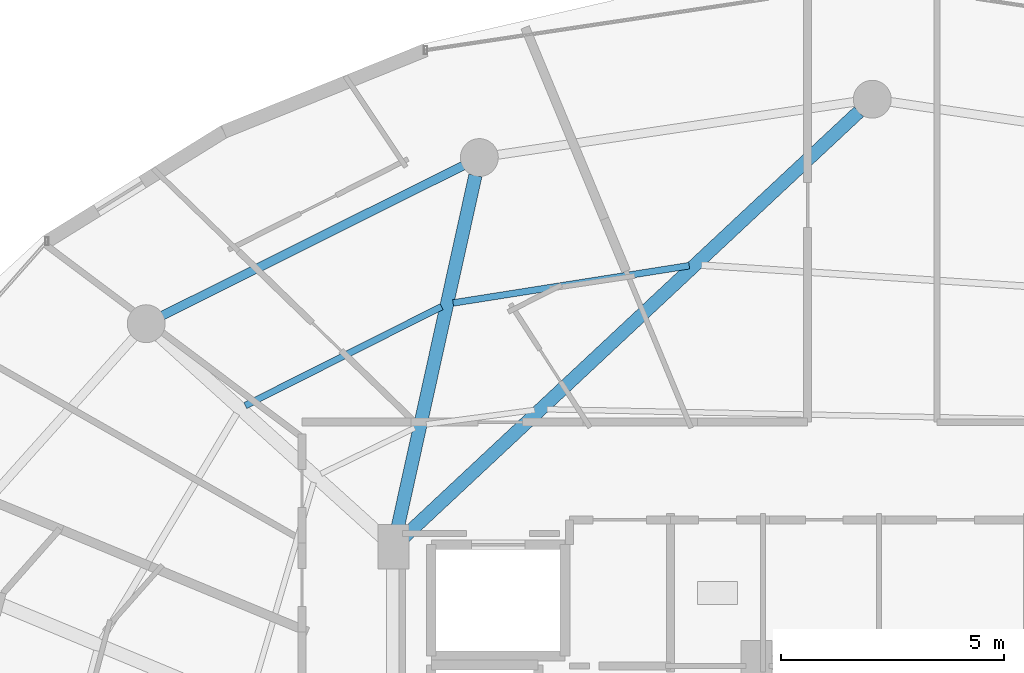
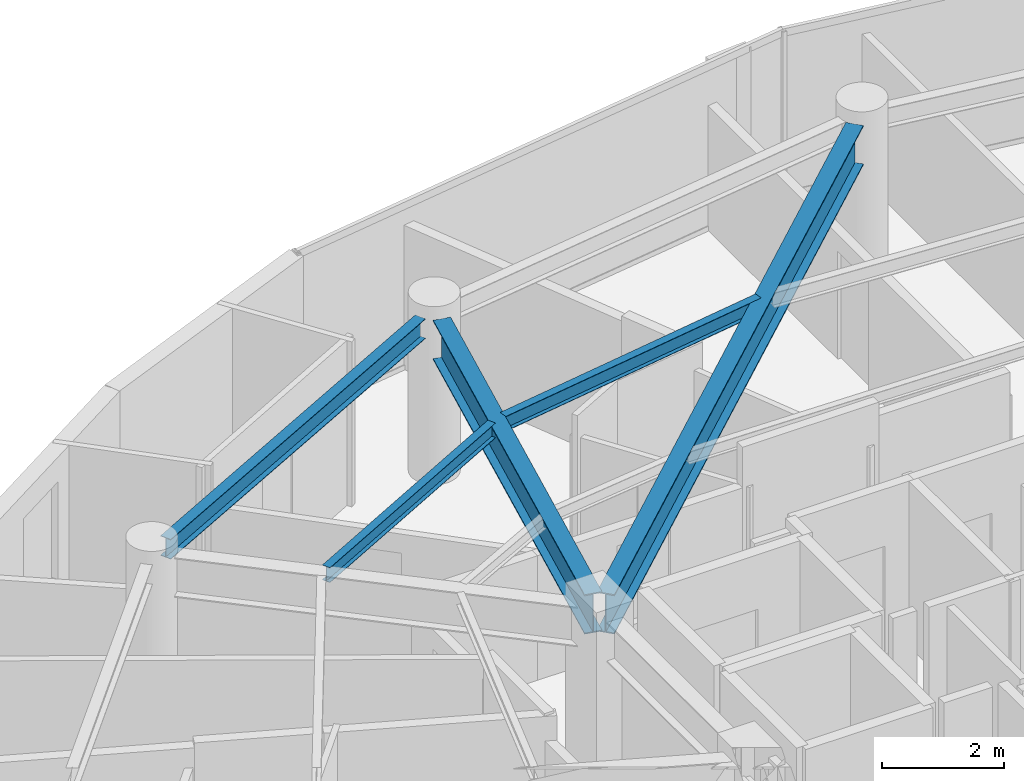
# One storey, part 17 of 31: 5 beams.
"""IFC4 building model written with IfcOpenShell, lengths in metres."""

import ifcopenshell
import ifcopenshell.guid

model = None  # the IFC model being written
_history = None  # IfcOwnerHistory: only IFC2X3 demands one
_inside = {}  # id of a spatial element -> (the spatial element, [elements in it])
_under = {}  # id of a project, library or spatial element -> (it, [spatial elements below it])
_declared = {}  # id of a project -> (the project, [libraries it declares])
_typed = {}  # id of a type object -> (the type object, [elements of that type])
_made_of = {}  # id of a material, layer set ... -> (it, [elements and type objects made of it])


def new_model(schema):
    """Start an empty IFC model of exactly this schema.

    Asked for "IFC4X3", IfcOpenShell would pick the latest addendum, in which some entities
    have other attributes; the version numbers below select the first issue.
    IFC2X3 requires an IfcOwnerHistory on every rooted entity: one is made here for all.
    """
    global model, _history
    if schema == "IFC4X3":
        model = ifcopenshell.file(schema_version=(4, 3, 0, 0))
    else:
        model = ifcopenshell.file(schema=schema)
    _inside.clear()
    _under.clear()
    _declared.clear()
    _typed.clear()
    _made_of.clear()
    _history = None
    if model.schema == "IFC2X3":
        org = make("IfcOrganization", Name="unknown")
        user = make(
            "IfcPersonAndOrganization",
            ThePerson=make("IfcPerson", FamilyName="unknown"),
            TheOrganization=org,
        )
        app = make(
            "IfcApplication",
            ApplicationDeveloper=org,
            Version="unknown",
            ApplicationFullName="unknown",
            ApplicationIdentifier="unknown",
        )
        _history = make(
            "IfcOwnerHistory",
            OwningUser=user,
            OwningApplication=app,
            ChangeAction="ADDED",
            CreationDate=0,
        )
    return model


def make(cls, **values):
    """One entity of the class cls with the attributes given. An attribute that is None is left unset."""
    return model.create_entity(
        cls, **{name: value for name, value in values.items() if value is not None}
    )


def rooted(cls, **values):
    """An entity with a GlobalId (a new one), such as an element, a storey or a relation."""
    return make(cls, GlobalId=ifcopenshell.guid.new(), OwnerHistory=_history, **values)


def si_unit(unit_type, name, prefix=None):
    """IfcSIUnit, for example si_unit("LENGTHUNIT", "METRE", prefix="MILLI")."""
    return make("IfcSIUnit", UnitType=unit_type, Prefix=prefix, Name=name)


def assignment(units):
    """IfcUnitAssignment: the units of a project."""
    return None if units is None else make("IfcUnitAssignment", Units=units)


def point(xyz):
    """IfcCartesianPoint."""
    return None if xyz is None else make("IfcCartesianPoint", Coordinates=xyz)


def direction(xyz):
    """IfcDirection."""
    return None if xyz is None else make("IfcDirection", DirectionRatios=xyz)


def frame(location, z_axis=None, x_axis=None):
    """IfcAxis2Placement3D, a coordinate frame: its origin and axes. An axis left out is left unset."""
    return make(
        "IfcAxis2Placement3D",
        Location=point(location),
        Axis=direction(z_axis),
        RefDirection=direction(x_axis),
    )


def frame_2d(location, x_axis=None):
    """IfcAxis2Placement2D, a coordinate frame in the plane: its origin and x axis."""
    return make(
        "IfcAxis2Placement2D", Location=point(location), RefDirection=direction(x_axis)
    )


def origin():
    """The frame at (0, 0, 0) with its axes left unset."""
    return frame((0.0, 0.0, 0.0))


def origin_2d():
    """The frame at (0, 0) in the plane with its x axis left unset."""
    return frame_2d((0.0, 0.0))


def place(relative_to, where):
    """IfcLocalPlacement: puts the frame where relative to a parent placement (None: the world)."""
    return make(
        "IfcLocalPlacement", PlacementRelTo=relative_to, RelativePlacement=where
    )


def context(
    kind, dimensions, precision=None, world=None, true_north=None, identifier=None
):
    """IfcGeometricRepresentationContext, for example the 3D "Model" context."""
    return make(
        "IfcGeometricRepresentationContext",
        ContextIdentifier=identifier,
        ContextType=kind,
        CoordinateSpaceDimension=dimensions,
        Precision=precision,
        WorldCoordinateSystem=world,
        TrueNorth=true_north,
    )


def subcontext(parent, identifier, kind, view, scale=None):
    """IfcGeometricRepresentationSubContext, for example "Body" below "Model"."""
    return make(
        "IfcGeometricRepresentationSubContext",
        ContextIdentifier=identifier,
        ContextType=kind,
        ParentContext=parent,
        TargetScale=scale,
        TargetView=view,
    )


def project(units=None, contexts=None):
    """IfcProject with its units and contexts."""
    return rooted(
        "IfcProject",
        Name="project",
        RepresentationContexts=contexts,
        UnitsInContext=assignment(units),
    )


def spatial(cls, under=None, at=None, **own):
    """A site, building, storey or space (cls), placed at a placement, below another one or the project."""
    s = rooted(cls, ObjectPlacement=at, **own)
    if under is not None:
        _under.setdefault(under.id(), (under, []))[1].append(s)
    return s


def profile(cls, at=None, kind="AREA", **sizes):
    """A parametric profile (cls). Its sizes go by their IFC names, for example OverallWidth=200.0."""
    return make(cls, ProfileType=kind, Position=at, **sizes)


def i_section(**sizes):
    """IfcIShapeProfileDef."""
    return profile("IfcIShapeProfileDef", **sizes)


def extrude(swept, where, along, depth):
    """IfcExtrudedAreaSolid: the profile swept, set in the frame where, extruded along a direction by depth."""
    return make(
        "IfcExtrudedAreaSolid",
        SweptArea=swept,
        Position=where,
        ExtrudedDirection=direction(along),
        Depth=depth,
    )


def shape(context_of_items, identifier, shape_type, items):
    """IfcShapeRepresentation: the items that make up one representation, for example the "Body"."""
    return make(
        "IfcShapeRepresentation",
        ContextOfItems=context_of_items,
        RepresentationIdentifier=identifier,
        RepresentationType=shape_type,
        Items=items,
    )


def material(Name=None, Category=None):
    """IfcMaterial."""
    return make("IfcMaterial", Name=Name, Category=Category)


def material_profile(
    of_material, cross_section, Name=None, Category=None, Priority=None
):
    """IfcMaterialProfile: a cross section and its material."""
    return make(
        "IfcMaterialProfile",
        Name=Name,
        Material=of_material,
        Profile=cross_section,
        Priority=Priority,
        Category=Category,
    )


def profile_set(profiles, Name=None, composite=None):
    """IfcMaterialProfileSet."""
    return make(
        "IfcMaterialProfileSet",
        Name=Name,
        MaterialProfiles=profiles,
        CompositeProfile=composite,
    )


def made_of(thing, what):
    """Note that an element or type object is made of a material, layer set ...; save() writes the relation."""
    if what is not None:
        _made_of.setdefault(what.id(), (what, []))[1].append(thing)
    return thing


def type_object(cls, material=None, **own):
    """A type object (cls), such as IfcWallType, which elements share."""
    return made_of(rooted(cls, **own), material)


def element(
    cls,
    number,
    at=None,
    inside=None,
    cuts=None,
    type_object=None,
    material=None,
    context=None,
    identifier="Body",
    shape_type=None,
    held_by="IfcProductDefinitionShape",
    body=None,
    shapes=None,
    **own,
):
    """One element of the class cls, such as IfcWall. Its Tag is "e" and its number.

    at: its placement. inside: the storey or other place that contains it. cuts: it is an
    opening in that element (IfcRelVoidsElement). A single representation is given by context,
    identifier, shape_type and body (its items); several are given by shapes. held_by: the class
    of the entity that holds the representations. save() writes the other relations.
    """
    e = rooted(cls, Tag="e%d" % number, ObjectPlacement=at, **own)
    if body is not None:
        shapes = [shape(context, identifier, shape_type, body)]
    if shapes is not None:
        e.Representation = make(held_by, Representations=shapes)
    if inside is not None:
        _inside.setdefault(inside.id(), (inside, []))[1].append(e)
    if cuts is not None:
        rooted(
            "IfcRelVoidsElement", RelatingBuildingElement=cuts, RelatedOpeningElement=e
        )
    if type_object is not None:
        _typed.setdefault(type_object.id(), (type_object, []))[1].append(e)
    return made_of(e, material)


def aggregate(whole, parts):
    """IfcRelAggregates: a whole, such as a stair, and the parts it consists of."""
    return rooted("IfcRelAggregates", RelatingObject=whole, RelatedObjects=parts)


def save(model, path):
    """Write the relations noted so far, then the file.

    IfcRelAggregates (storeys below a building ...), IfcRelContainedInSpatialStructure (elements
    in a storey), IfcRelDefinesByType, IfcRelAssociatesMaterial and IfcRelDeclares: one each for
    every whole, place, type object, material and project.
    """
    for whole, parts in _under.values():
        aggregate(whole, parts)
    for where, things in _inside.values():
        rooted(
            "IfcRelContainedInSpatialStructure",
            RelatedElements=things,
            RelatingStructure=where,
        )
    for kind, things in _typed.values():
        rooted("IfcRelDefinesByType", RelatedObjects=things, RelatingType=kind)
    for what, things in _made_of.values():
        rooted("IfcRelAssociatesMaterial", RelatedObjects=things, RelatingMaterial=what)
    for by, libraries in _declared.values():
        rooted("IfcRelDeclares", RelatingContext=by, RelatedDefinitions=libraries)
    model.write(path)


model = new_model("IFC4")

# Units and contexts
model_context = context("Model", 3, precision=1e-05, world=origin(), true_north=direction((0.0, 1.0)))
body_context = subcontext(model_context, "Body", "Model", "MODEL_VIEW")
ifc_project = project(units=[si_unit("LENGTHUNIT", "METRE"), si_unit("AREAUNIT", "SQUARE_METRE"), si_unit("VOLUMEUNIT", "CUBIC_METRE"), si_unit("PLANEANGLEUNIT", "RADIAN"), si_unit("MASSUNIT", "GRAM", prefix="KILO")], contexts=[model_context])

# Site, building, storey
site_placement = place(None, origin())
site = spatial("IfcSite", under=ifc_project, at=site_placement, CompositionType="ELEMENT")
building_placement = place(site_placement, origin())
building = spatial("IfcBuilding", under=site, at=building_placement, Name="Vorneva Point Tower", CompositionType="ELEMENT")
storey_placement = place(building_placement, frame((0.0, 0.0, 244.89990234375)))
storey = spatial("IfcBuildingStorey", under=building, at=storey_placement, Name="L66", CompositionType="ELEMENT", Elevation=244.89990234375)

# Beams
ifc_material = material(Name="Steel S355", Category="steel")
ifc_material_profile_1 = material_profile(ifc_material, i_section(OverallWidth=0.300048828125, OverallDepth=0.7880859375, WebThickness=0.014404296875, FlangeThickness=0.02197265625, at=origin_2d()), Name="80Sh1")
ifc_profile_set_1 = profile_set([ifc_material_profile_1], Name="Steel S355")
beam_type_1 = type_object("IfcBeamType", Name="BM-GRD-80Sh1", PredefinedType="USERDEFINED", material=ifc_profile_set_1)
beam_1_placement = place(storey_placement, frame((37.6982421875, 42.91796875, 2.89599609375), z_axis=(-0.730485790946, -0.682927894602, 0.0), x_axis=(0.682927894602, -0.730485790946, 0.0)))
element("IfcBeam", 1, at=beam_1_placement, inside=storey, type_object=beam_type_1, Name="L66 Radial Primary Girder 05", ObjectType="GIRDER", PredefinedType="USERDEFINED", context=body_context, shape_type="SweptSolid", body=[
    extrude(i_section(OverallWidth=0.300048828125, OverallDepth=0.7880859375, WebThickness=0.014404296875, FlangeThickness=0.02197265625, at=origin_2d()), origin(), (0.0, 0.0, 1.0), 13.963134765625),
])
beam_2_placement = place(storey_placement, frame((29.090087890625, 41.4873046875, 2.89599609375), z_axis=(-0.215520742957, -0.976499262342, 0.0), x_axis=(0.976499262342, -0.215520742957, 0.0)))
element("IfcBeam", 2, at=beam_2_placement, inside=storey, type_object=beam_type_1, Name="L66 Radial Primary Girder 06", ObjectType="GIRDER", PredefinedType="USERDEFINED", context=body_context, shape_type="SweptSolid", body=[
    extrude(i_section(OverallWidth=0.300048828125, OverallDepth=0.7880859375, WebThickness=0.014404296875, FlangeThickness=0.02197265625, at=origin_2d()), origin(), (0.0, 0.0, 1.0), 8.197998046875),
])
ifc_material_profile_2 = material_profile(ifc_material, i_section(OverallWidth=0.14892578125, OverallDepth=0.298095703125, WebThickness=0.005615234375, FlangeThickness=0.008056640625, at=origin_2d()), Name="30B1")
ifc_profile_set_2 = profile_set([ifc_material_profile_2], Name="Steel S355")
beam_type_2 = type_object("IfcBeamType", Name="BM-JST-30B1", PredefinedType="JOIST", material=ifc_profile_set_2)
beam_3_placement = place(storey_placement, frame((33.889892578125, 39.463623046875, 3.14111328125), z_axis=(-0.987765916795, -0.15594387971, 0.0), x_axis=(0.15594387971, -0.987765916795, 0.0)))
element("IfcBeam", 3, at=beam_3_placement, inside=storey, type_object=beam_type_2, Name="L66 Secondary Floor Beam 1.05", PredefinedType="JOIST", context=body_context, shape_type="SweptSolid", body=[
    extrude(i_section(OverallWidth=0.14892578125, OverallDepth=0.298095703125, WebThickness=0.005615234375, FlangeThickness=0.008056640625, at=origin_2d()), origin(), (0.0, 0.0, 1.0), 5.365234375),
])
beam_4_placement = place(storey_placement, frame((28.330810546875, 38.54345703125, 3.14111328125), z_axis=(-0.893046523207, -0.449964340129, 0.0), x_axis=(0.449964340129, -0.893046523207, 0.0)))
element("IfcBeam", 4, at=beam_4_placement, inside=storey, type_object=beam_type_2, Name="L66 Secondary Floor Beam 1.06", PredefinedType="JOIST", context=body_context, shape_type="SweptSolid", body=[
    extrude(i_section(OverallWidth=0.14892578125, OverallDepth=0.298095703125, WebThickness=0.005615234375, FlangeThickness=0.008056640625, at=origin_2d()), origin(), (0.0, 0.0, 1.0), 4.930908203125),
])
ifc_material_profile_3 = material_profile(ifc_material, i_section(OverallWidth=0.198974609375, OverallDepth=0.39599609375, WebThickness=0.007080078125, FlangeThickness=0.010986328125, at=origin_2d()), Name="40B1")
ifc_profile_set_3 = profile_set([ifc_material_profile_3], Name="Steel S355")
beam_type_3 = type_object("IfcBeamType", Name="BM-SPN-40B1", PredefinedType="SPANDREL", material=ifc_profile_set_3)
beam_5_placement = place(storey_placement, frame((28.812255859375, 41.707763671875, 3.092041015625), z_axis=(-0.894932011528, -0.446202526599, 0.0), x_axis=(0.446202526599, -0.894932011528, 0.0)))
element("IfcBeam", 5, at=beam_5_placement, inside=storey, type_object=beam_type_3, Name="L66 Perimeter Spandrel Ring Beam 06", PredefinedType="SPANDREL", context=body_context, shape_type="SweptSolid", body=[
    extrude(i_section(OverallWidth=0.198974609375, OverallDepth=0.39599609375, WebThickness=0.007080078125, FlangeThickness=0.010986328125, at=origin_2d()), origin(), (0.0, 0.0, 1.0), 7.535888671875),
])

save(model, "model.ifc")
